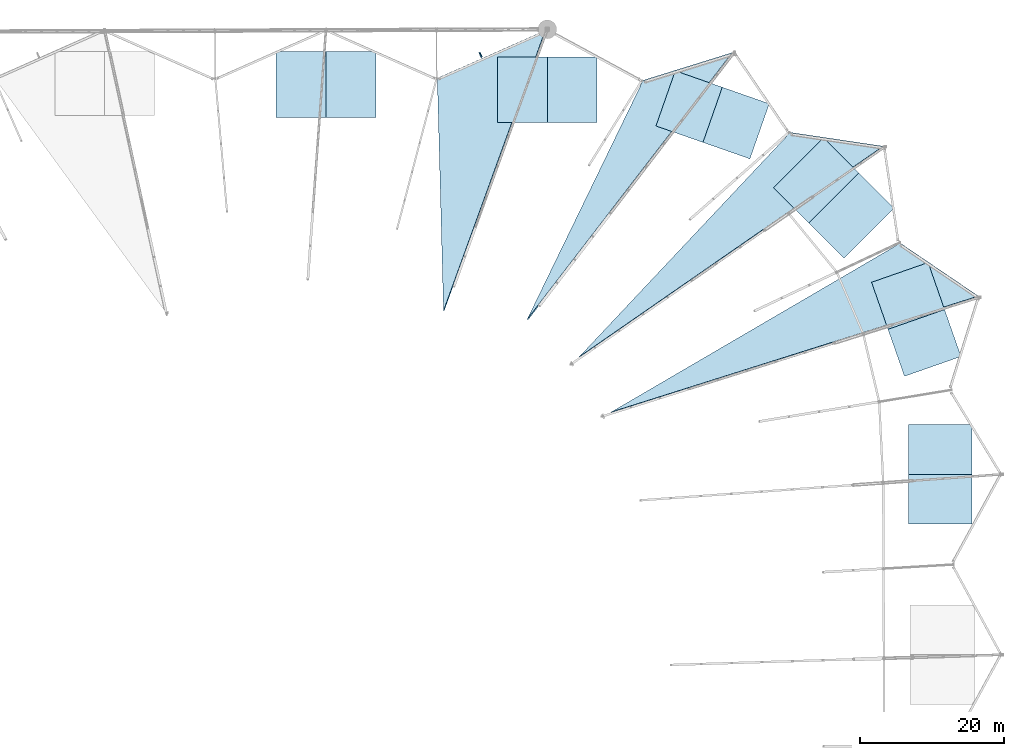
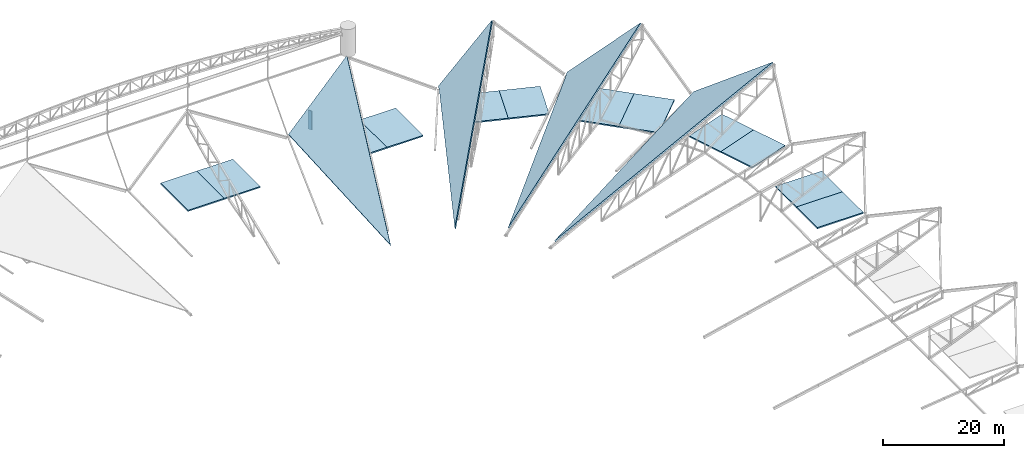
# One storey, part 119 of 188: 16 slabs, 1 plate.
"""IFC4 building model written with IfcOpenShell, lengths in metres."""

from ifc_helpers import new_model, si_unit, direction, frame, origin, origin_2d, place, context, subcontext, project, spatial, polyline, rectangle, outline, extrude, material, layer, layer_set, type_object, element, save


model = new_model("IFC4")

# Units and contexts
model_context = context("Model", 3, precision=1e-05, world=origin(), true_north=direction((0.0, 1.0)))
body_context = subcontext(model_context, "Body", "Model", "MODEL_VIEW")
ifc_project = project(units=[si_unit("LENGTHUNIT", "METRE"), si_unit("AREAUNIT", "SQUARE_METRE"), si_unit("VOLUMEUNIT", "CUBIC_METRE"), si_unit("PLANEANGLEUNIT", "RADIAN"), si_unit("MASSUNIT", "GRAM", prefix="KILO")], contexts=[model_context])

# Site, building, storey
site_placement = place(None, origin())
site = spatial("IfcSite", under=ifc_project, at=site_placement, CompositionType="ELEMENT")
building_placement = place(site_placement, origin())
building = spatial("IfcBuilding", under=site, at=building_placement, Name="Meseta Stadium", CompositionType="ELEMENT")
storey_placement = place(building_placement, frame((0.0, 0.0, 30.0)))
storey = spatial("IfcBuildingStorey", under=building, at=storey_placement, Name="ROOF", CompositionType="ELEMENT", Elevation=30.0)

# Slabs
ifc_material_1 = material(Name="Concrete C40/50", Category="concrete")
ifc_layer_1 = layer(ifc_material_1, 0.25)
ifc_layer_set_1 = layer_set([ifc_layer_1], Name="Core roof slab 250")
slab_type_1 = type_object("IfcSlabType", Name="Core roof slab 250", PredefinedType="ROOF", material=ifc_layer_set_1)
slab_1_placement = place(storey_placement, frame((0.0, 0.0, -0.25)))
element("IfcSlab", 1, at=slab_1_placement, inside=storey, type_object=slab_type_1, Name="Core 05 stair A roof", PredefinedType="ROOF", context=body_context, shape_type="SweptSolid", body=[
    extrude(outline(polyline([(97.199951171875, 36.85009765625), (88.39990234375, 36.85009765625), (88.39990234375, 43.75), (97.199951171875, 43.75), (97.199951171875, 36.85009765625)])), origin(), (0.0, 0.0, 1.0), 0.25),
])
slab_2_placement = place(storey_placement, frame((0.0, 0.0, -0.25)))
element("IfcSlab", 2, at=slab_2_placement, inside=storey, type_object=slab_type_1, Name="Core 05 stair B roof", PredefinedType="ROOF", context=body_context, shape_type="SweptSolid", body=[
    extrude(outline(polyline([(97.199951171875, 43.75), (88.39990234375, 43.75), (88.39990234375, 50.64990234375), (97.199951171875, 50.64990234375), (97.199951171875, 43.75)])), origin(), (0.0, 0.0, 1.0), 0.25),
])
slab_3_placement = place(storey_placement, frame((0.0, 0.0, -0.25)))
element("IfcSlab", 3, at=slab_3_placement, inside=storey, type_object=slab_type_1, Name="Core 06 stair A roof", PredefinedType="ROOF", context=body_context, shape_type="SweptSolid", body=[
    extrude(outline(polyline([(95.661865234375, 60.067138671875), (87.82763671875, 57.325927734375), (85.548583984375, 63.838623046875), (93.3828125, 66.580078125), (95.661865234375, 60.067138671875)])), origin(), (0.0, 0.0, 1.0), 0.25),
])
slab_4_placement = place(storey_placement, frame((0.0, 0.0, -0.25)))
element("IfcSlab", 4, at=slab_4_placement, inside=storey, type_object=slab_type_1, Name="Core 06 stair B roof", PredefinedType="ROOF", context=body_context, shape_type="SweptSolid", body=[
    extrude(outline(polyline([(93.3828125, 66.580078125), (85.548583984375, 63.838623046875), (83.269775390625, 70.3515625), (91.10400390625, 73.0927734375), (93.3828125, 66.580078125)])), origin(), (0.0, 0.0, 1.0), 0.25),
])
slab_5_placement = place(storey_placement, frame((0.0, 0.0, -0.25)))
element("IfcSlab", 5, at=slab_5_placement, inside=storey, type_object=slab_type_1, Name="Core 07 stair A roof", PredefinedType="ROOF", context=body_context, shape_type="SweptSolid", body=[
    extrude(outline(polyline([(86.375732421875, 80.61767578125), (79.4462890625, 73.68798828125), (74.567138671875, 78.567138671875), (81.496826171875, 85.496826171875), (86.375732421875, 80.61767578125)])), origin(), (0.0, 0.0, 1.0), 0.25),
])
slab_6_placement = place(storey_placement, frame((0.0, 0.0, -0.25)))
element("IfcSlab", 6, at=slab_6_placement, inside=storey, type_object=slab_type_1, Name="Core 07 stair B roof", PredefinedType="ROOF", context=body_context, shape_type="SweptSolid", body=[
    extrude(outline(polyline([(81.496826171875, 85.496826171875), (74.567138671875, 78.567138671875), (69.68798828125, 83.4462890625), (76.61767578125, 90.375732421875), (81.496826171875, 85.496826171875)])), origin(), (0.0, 0.0, 1.0), 0.25),
])
slab_7_placement = place(storey_placement, frame((0.0, 0.0, -0.25)))
element("IfcSlab", 7, at=slab_7_placement, inside=storey, type_object=slab_type_1, Name="Core 08 stair A roof", PredefinedType="ROOF", context=body_context, shape_type="SweptSolid", body=[
    extrude(outline(polyline([(69.0927734375, 95.10400390625), (66.41748046875, 87.45849609375), (59.90478515625, 89.737548828125), (62.580078125, 97.3828125), (69.0927734375, 95.10400390625)])), origin(), (0.0, 0.0, 1.0), 0.25),
])
slab_8_placement = place(storey_placement, frame((0.0, 0.0, -0.25)))
element("IfcSlab", 8, at=slab_8_placement, inside=storey, type_object=slab_type_1, Name="Core 08 stair B roof", PredefinedType="ROOF", context=body_context, shape_type="SweptSolid", body=[
    extrude(outline(polyline([(62.580078125, 97.3828125), (59.90478515625, 89.737548828125), (53.39208984375, 92.016357421875), (56.067138671875, 99.661865234375), (62.580078125, 97.3828125)])), origin(), (0.0, 0.0, 1.0), 0.25),
])
slab_9_placement = place(storey_placement, frame((0.0, 0.0, -0.25)))
element("IfcSlab", 9, at=slab_9_placement, inside=storey, type_object=slab_type_1, Name="Core 09 stair A roof", PredefinedType="ROOF", context=body_context, shape_type="SweptSolid", body=[
    extrude(outline(polyline([(45.2333984375, 101.60009765625), (45.2333984375, 92.5), (38.333251953125, 92.5), (38.333251953125, 101.60009765625), (45.2333984375, 101.60009765625)])), origin(), (0.0, 0.0, 1.0), 0.25),
])
slab_10_placement = place(storey_placement, frame((0.0, 0.0, -0.25)))
element("IfcSlab", 10, at=slab_10_placement, inside=storey, type_object=slab_type_1, Name="Core 09 stair B roof", PredefinedType="ROOF", context=body_context, shape_type="SweptSolid", body=[
    extrude(outline(polyline([(38.333251953125, 101.60009765625), (38.333251953125, 92.5), (31.433349609375, 92.5), (31.433349609375, 101.60009765625), (38.333251953125, 101.60009765625)])), origin(), (0.0, 0.0, 1.0), 0.25),
])
slab_11_placement = place(storey_placement, frame((0.0, 0.0, -0.25)))
element("IfcSlab", 11, at=slab_11_placement, inside=storey, type_object=slab_type_1, Name="Core 10 stair A roof", PredefinedType="ROOF", context=body_context, shape_type="SweptSolid", body=[
    extrude(outline(polyline([(14.566650390625, 102.300048828125), (14.566650390625, 93.199951171875), (7.666748046875, 93.199951171875), (7.666748046875, 102.300048828125), (14.566650390625, 102.300048828125)])), origin(), (0.0, 0.0, 1.0), 0.25),
])
slab_12_placement = place(storey_placement, frame((0.0, 0.0, -0.25)))
element("IfcSlab", 12, at=slab_12_placement, inside=storey, type_object=slab_type_1, Name="Core 10 stair B roof", PredefinedType="ROOF", context=body_context, shape_type="SweptSolid", body=[
    extrude(outline(polyline([(7.666748046875, 102.300048828125), (7.666748046875, 93.199951171875), (0.7666015625, 93.199951171875), (0.7666015625, 102.300048828125), (7.666748046875, 102.300048828125)])), origin(), (0.0, 0.0, 1.0), 0.25),
])

# Plate
ifc_material_2 = material(Name="Precast concrete C40/50, terracotta pigment", Category="masonry")
ifc_layer_2 = layer(ifc_material_2, 0.199951171875)
ifc_layer_set_2 = layer_set([ifc_layer_2], Name="Precast concrete C40/50, terracotta pigment")
plate_type = type_object("IfcPlateType", Name="Precast fin 200x700", PredefinedType="USERDEFINED", material=ifc_layer_set_2)
plate_placement = place(storey_placement, frame((29.100830078125, 101.863525390625, 1.2001953125), z_axis=(0.0, 0.0, 1.0), x_axis=(0.914139367606, 0.405400069798, 0.0)))
element("IfcPlate", 13, at=plate_placement, inside=storey, type_object=plate_type, Name="Precast fin L04 F16.3", ObjectType="FIN", PredefinedType="USERDEFINED", context=body_context, shape_type="SweptSolid", body=[
    extrude(rectangle(XDim=0.199951171875, YDim=0.699951171875, at=origin_2d()), origin(), (0.0, 0.0, 1.0), 3.800048828125),
])

# Slabs
ifc_material_3 = material(Name="Precast concrete C40/50", Category="concrete")
ifc_layer_3 = layer(ifc_material_3, 0.300048828125)
ifc_layer_set_3 = layer_set([ifc_layer_3], Name="Roof plate 300")
slab_type_2 = type_object("IfcSlabType", Name="Roof plate 300", PredefinedType="ROOF", material=ifc_layer_set_3)
slab_13_placement = place(storey_placement, frame((47.17578125, 52.367431640625, 2.39111328125), z_axis=(-0.27036758356, 0.392418190919, 0.879152622242), x_axis=(0.941781167028, 0.297377949388, 0.156890371437)))
element("IfcSlab", 14, at=slab_13_placement, inside=storey, type_object=slab_type_2, Name="Roof panel RP-10 B", PredefinedType="ROOF", context=body_context, shape_type="SweptSolid", body=[
    extrude(outline(polyline([(0.0, 0.0), (54.05080587991632, -3.552713678800501e-15), (44.98412102899318, 11.554951400124965), (44.11839177677959, 11.333255405678186), (44.12881259864014, 11.300525896375525), (0.0, 0.0)])), origin(), (0.0, 0.0, -1.0), 0.300048828125),
])
slab_14_placement = place(storey_placement, frame((42.7275390625, 59.99951171875, 2.012451171875), z_axis=(-0.395665951975, 0.30925415168, 0.864760269737), x_axis=(0.809986372119, 0.561307443447, 0.169870629928)))
element("IfcSlab", 15, at=slab_14_placement, inside=storey, type_object=slab_type_2, Name="Roof panel RP-12 B", PredefinedType="ROOF", context=body_context, shape_type="SweptSolid", body=[
    extrude(outline(polyline([(0.0, 0.0), (52.05097763659344, 8.881784197001252e-16), (41.536250384210035, 10.188333335582328), (40.72787246523928, 9.991056696663726), (40.74233992402059, 9.94710163651065), (0.0, 0.0)])), origin(), (0.0, 0.0, -1.0), 0.300048828125),
])
slab_15_placement = place(storey_placement, frame((35.54638671875, 65.219482421875, 1.22509765625), z_axis=(-0.500608621558, 0.164129887232, 0.849971992562), x_axis=(0.597024921191, 0.776453244143, 0.201696809932)))
element("IfcSlab", 16, at=slab_15_placement, inside=storey, type_object=slab_type_2, Name="Roof panel RP-14 B", PredefinedType="ROOF", context=body_context, shape_type="SweptSolid", body=[
    extrude(outline(polyline([(0.0, 0.0), (47.615179768348526, -1.7763568394002505e-15), (35.87634052148259, 8.63428145697401), (35.153963564241316, 8.461477498522743), (35.17381810221746, 8.407697326620475), (0.0, 0.0)])), origin(), (0.0, 0.0, -1.0), 0.300048828125),
])
slab_16_placement = place(storey_placement, frame((38.062255859375, 105.27978515625, 10.8798828125), z_axis=(-0.366691979692, -0.098295146533, 0.925135155638), x_axis=(-0.332116711382, -0.915051897968, -0.22886352712)))
element("IfcSlab", 17, at=slab_16_placement, inside=storey, type_object=slab_type_2, Name="Roof panel RP-16 B", PredefinedType="ROOF", context=body_context, shape_type="SweptSolid", body=[
    extrude(outline(polyline([(0.0, 0.0), (42.48979886287047, 1.7763568394002505e-15), (12.566353916793688, -12.423970576413879), (0.0, 0.0)])), origin(), (0.0, 0.0, -1.0), 0.300048828125),
])

save(model, "model.ifc")
